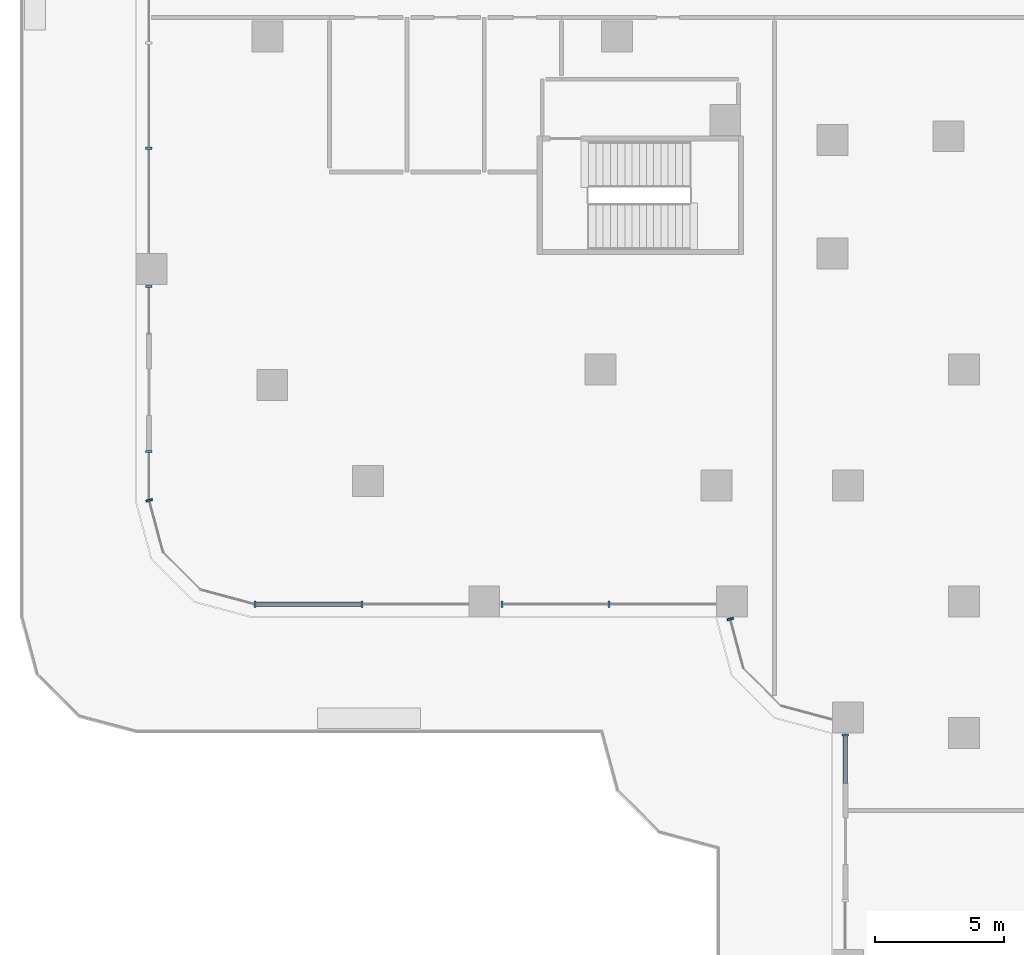
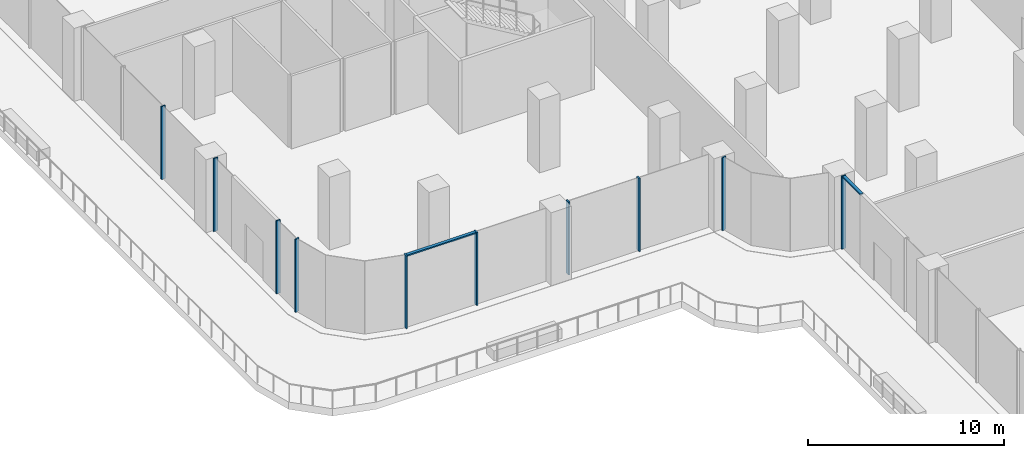
# One storey, part 3 of 30: 12 members, 5 elements without a shape of their own.
"""IFC4 building model written with IfcOpenShell, lengths in metres."""

import ifcopenshell
import ifcopenshell.guid

model = None  # the IFC model being written
_history = None  # IfcOwnerHistory: only IFC2X3 demands one
_inside = {}  # id of a spatial element -> (the spatial element, [elements in it])
_under = {}  # id of a project, library or spatial element -> (it, [spatial elements below it])
_declared = {}  # id of a project -> (the project, [libraries it declares])
_typed = {}  # id of a type object -> (the type object, [elements of that type])
_made_of = {}  # id of a material, layer set ... -> (it, [elements and type objects made of it])


def new_model(schema):
    """Start an empty IFC model of exactly this schema.

    Asked for "IFC4X3", IfcOpenShell would pick the latest addendum, in which some entities
    have other attributes; the version numbers below select the first issue.
    IFC2X3 requires an IfcOwnerHistory on every rooted entity: one is made here for all.
    """
    global model, _history
    if schema == "IFC4X3":
        model = ifcopenshell.file(schema_version=(4, 3, 0, 0))
    else:
        model = ifcopenshell.file(schema=schema)
    _inside.clear()
    _under.clear()
    _declared.clear()
    _typed.clear()
    _made_of.clear()
    _history = None
    if model.schema == "IFC2X3":
        org = make("IfcOrganization", Name="unknown")
        user = make(
            "IfcPersonAndOrganization",
            ThePerson=make("IfcPerson", FamilyName="unknown"),
            TheOrganization=org,
        )
        app = make(
            "IfcApplication",
            ApplicationDeveloper=org,
            Version="unknown",
            ApplicationFullName="unknown",
            ApplicationIdentifier="unknown",
        )
        _history = make(
            "IfcOwnerHistory",
            OwningUser=user,
            OwningApplication=app,
            ChangeAction="ADDED",
            CreationDate=0,
        )
    return model


def make(cls, **values):
    """One entity of the class cls with the attributes given. An attribute that is None is left unset."""
    return model.create_entity(
        cls, **{name: value for name, value in values.items() if value is not None}
    )


def rooted(cls, **values):
    """An entity with a GlobalId (a new one), such as an element, a storey or a relation."""
    return make(cls, GlobalId=ifcopenshell.guid.new(), OwnerHistory=_history, **values)


def si_unit(unit_type, name, prefix=None):
    """IfcSIUnit, for example si_unit("LENGTHUNIT", "METRE", prefix="MILLI")."""
    return make("IfcSIUnit", UnitType=unit_type, Prefix=prefix, Name=name)


def assignment(units):
    """IfcUnitAssignment: the units of a project."""
    return None if units is None else make("IfcUnitAssignment", Units=units)


def point(xyz):
    """IfcCartesianPoint."""
    return None if xyz is None else make("IfcCartesianPoint", Coordinates=xyz)


def direction(xyz):
    """IfcDirection."""
    return None if xyz is None else make("IfcDirection", DirectionRatios=xyz)


def frame(location, z_axis=None, x_axis=None):
    """IfcAxis2Placement3D, a coordinate frame: its origin and axes. An axis left out is left unset."""
    return make(
        "IfcAxis2Placement3D",
        Location=point(location),
        Axis=direction(z_axis),
        RefDirection=direction(x_axis),
    )


def origin():
    """The frame at (0, 0, 0) with its axes left unset."""
    return frame((0.0, 0.0, 0.0))


def place(relative_to, where):
    """IfcLocalPlacement: puts the frame where relative to a parent placement (None: the world)."""
    return make(
        "IfcLocalPlacement", PlacementRelTo=relative_to, RelativePlacement=where
    )


def context(
    kind, dimensions, precision=None, world=None, true_north=None, identifier=None
):
    """IfcGeometricRepresentationContext, for example the 3D "Model" context."""
    return make(
        "IfcGeometricRepresentationContext",
        ContextIdentifier=identifier,
        ContextType=kind,
        CoordinateSpaceDimension=dimensions,
        Precision=precision,
        WorldCoordinateSystem=world,
        TrueNorth=true_north,
    )


def subcontext(parent, identifier, kind, view, scale=None):
    """IfcGeometricRepresentationSubContext, for example "Body" below "Model"."""
    return make(
        "IfcGeometricRepresentationSubContext",
        ContextIdentifier=identifier,
        ContextType=kind,
        ParentContext=parent,
        TargetScale=scale,
        TargetView=view,
    )


def project(units=None, contexts=None):
    """IfcProject with its units and contexts."""
    return rooted(
        "IfcProject",
        Name="project",
        RepresentationContexts=contexts,
        UnitsInContext=assignment(units),
    )


def spatial(cls, under=None, at=None, **own):
    """A site, building, storey or space (cls), placed at a placement, below another one or the project."""
    s = rooted(cls, ObjectPlacement=at, **own)
    if under is not None:
        _under.setdefault(under.id(), (under, []))[1].append(s)
    return s


def polyline(points):
    """IfcPolyline through the points."""
    return make("IfcPolyline", Points=[point(p) for p in points])


def outline(outer, holes=None, kind="AREA"):
    """IfcArbitraryClosedProfileDef: a profile drawn as a closed curve; with holes, ...WithVoids."""
    if holes is None:
        return make("IfcArbitraryClosedProfileDef", ProfileType=kind, OuterCurve=outer)
    return make(
        "IfcArbitraryProfileDefWithVoids",
        ProfileType=kind,
        OuterCurve=outer,
        InnerCurves=holes,
    )


def extrude(swept, where, along, depth):
    """IfcExtrudedAreaSolid: the profile swept, set in the frame where, extruded along a direction by depth."""
    return make(
        "IfcExtrudedAreaSolid",
        SweptArea=swept,
        Position=where,
        ExtrudedDirection=direction(along),
        Depth=depth,
    )


def shape(context_of_items, identifier, shape_type, items):
    """IfcShapeRepresentation: the items that make up one representation, for example the "Body"."""
    return make(
        "IfcShapeRepresentation",
        ContextOfItems=context_of_items,
        RepresentationIdentifier=identifier,
        RepresentationType=shape_type,
        Items=items,
    )


def source(mapping_origin, context_of_items, identifier, shape_type, items):
    """IfcRepresentationMap: a shape defined once, which mapped items show again and again."""
    return make(
        "IfcRepresentationMap",
        MappingOrigin=mapping_origin,
        MappedRepresentation=shape(context_of_items, identifier, shape_type, items),
    )


def transform(
    local_origin,
    x_axis=None,
    y_axis=None,
    z_axis=None,
    scale=None,
    scale2=None,
    scale3=None,
    uniform=True,
):
    """IfcCartesianTransformationOperator3D, or its non-uniform kind. x_axis, y_axis, z_axis: its Axis1, 2, 3."""
    if uniform:
        return make(
            "IfcCartesianTransformationOperator3D",
            Axis1=direction(x_axis),
            Axis2=direction(y_axis),
            LocalOrigin=point(local_origin),
            Scale=scale,
            Axis3=direction(z_axis),
        )
    return make(
        "IfcCartesianTransformationOperator3DnonUniform",
        Axis1=direction(x_axis),
        Axis2=direction(y_axis),
        LocalOrigin=point(local_origin),
        Scale=scale,
        Axis3=direction(z_axis),
        Scale2=scale2,
        Scale3=scale3,
    )


def mapped(mapping_source, mapping_target):
    """IfcMappedItem: shows the shape of a source again, moved by a transform."""
    return make(
        "IfcMappedItem", MappingSource=mapping_source, MappingTarget=mapping_target
    )


def material(Name=None, Category=None):
    """IfcMaterial."""
    return make("IfcMaterial", Name=Name, Category=Category)


def made_of(thing, what):
    """Note that an element or type object is made of a material, layer set ...; save() writes the relation."""
    if what is not None:
        _made_of.setdefault(what.id(), (what, []))[1].append(thing)
    return thing


def type_object(cls, material=None, **own):
    """A type object (cls), such as IfcWallType, which elements share."""
    return made_of(rooted(cls, **own), material)


def element(
    cls,
    number,
    at=None,
    inside=None,
    cuts=None,
    type_object=None,
    material=None,
    context=None,
    identifier="Body",
    shape_type=None,
    held_by="IfcProductDefinitionShape",
    body=None,
    shapes=None,
    **own,
):
    """One element of the class cls, such as IfcWall. Its Tag is "e" and its number.

    at: its placement. inside: the storey or other place that contains it. cuts: it is an
    opening in that element (IfcRelVoidsElement). A single representation is given by context,
    identifier, shape_type and body (its items); several are given by shapes. held_by: the class
    of the entity that holds the representations. save() writes the other relations.
    """
    e = rooted(cls, Tag="e%d" % number, ObjectPlacement=at, **own)
    if body is not None:
        shapes = [shape(context, identifier, shape_type, body)]
    if shapes is not None:
        e.Representation = make(held_by, Representations=shapes)
    if inside is not None:
        _inside.setdefault(inside.id(), (inside, []))[1].append(e)
    if cuts is not None:
        rooted(
            "IfcRelVoidsElement", RelatingBuildingElement=cuts, RelatedOpeningElement=e
        )
    if type_object is not None:
        _typed.setdefault(type_object.id(), (type_object, []))[1].append(e)
    return made_of(e, material)


def aggregate(whole, parts):
    """IfcRelAggregates: a whole, such as a stair, and the parts it consists of."""
    return rooted("IfcRelAggregates", RelatingObject=whole, RelatedObjects=parts)


def save(model, path):
    """Write the relations noted so far, then the file.

    IfcRelAggregates (storeys below a building ...), IfcRelContainedInSpatialStructure (elements
    in a storey), IfcRelDefinesByType, IfcRelAssociatesMaterial and IfcRelDeclares: one each for
    every whole, place, type object, material and project.
    """
    for whole, parts in _under.values():
        aggregate(whole, parts)
    for where, things in _inside.values():
        rooted(
            "IfcRelContainedInSpatialStructure",
            RelatedElements=things,
            RelatingStructure=where,
        )
    for kind, things in _typed.values():
        rooted("IfcRelDefinesByType", RelatedObjects=things, RelatingType=kind)
    for what, things in _made_of.values():
        rooted("IfcRelAssociatesMaterial", RelatedObjects=things, RelatingMaterial=what)
    for by, libraries in _declared.values():
        rooted("IfcRelDeclares", RelatingContext=by, RelatedDefinitions=libraries)
    model.write(path)


model = new_model("IFC4")

# Units and contexts
model_context = context("Model", 3, precision=1e-05, world=origin(), true_north=direction((0.0, 1.0)))
body_context = subcontext(model_context, "Body", "Model", "MODEL_VIEW")
ifc_project = project(units=[si_unit("LENGTHUNIT", "METRE"), si_unit("AREAUNIT", "SQUARE_METRE"), si_unit("VOLUMEUNIT", "CUBIC_METRE"), si_unit("PLANEANGLEUNIT", "RADIAN"), si_unit("MASSUNIT", "GRAM", prefix="KILO")], contexts=[model_context])

# Site, building, storey
site_placement = place(None, origin())
site = spatial("IfcSite", under=ifc_project, at=site_placement, CompositionType="ELEMENT")
building_placement = place(site_placement, origin())
building = spatial("IfcBuilding", under=site, at=building_placement, Name="Zarbagh Exchange Tower", CompositionType="ELEMENT")
storey_placement = place(building_placement, frame((0.0, 0.0, 7.0)))
storey = spatial("IfcBuildingStorey", under=building, at=storey_placement, Name="L01", CompositionType="ELEMENT", Elevation=7.0)

# Curtain wall, members
ifc_material_1 = material(Name="Anodised aluminium frame and glazing", Category="aluminium")
curtain_wall_type = type_object("IfcCurtainWallType", Name="CWC Podium garden-wall glazing", PredefinedType="NOTDEFINED", material=ifc_material_1)
curtain_wall_1_placement = place(storey_placement, origin())
curtain_wall_1 = element("IfcCurtainWall", 1, at=curtain_wall_1_placement, inside=storey, type_object=curtain_wall_type, Name="CWC86 curtain wall", PredefinedType="NOTDEFINED")
ifc_material_2 = material(Name="Anodised aluminium frame", Category="aluminium")
member_type_1 = type_object("IfcMemberType", Name="MUC Mullion, anodised aluminium frame", PredefinedType="MULLION", material=ifc_material_2)
shared_shape_1 = source(origin(), body_context, "Body", "SweptSolid", [
    extrude(outline(polyline([(0.0, -0.125), (0.080078125, -0.125), (0.080078125, 0.125), (0.0, 0.125), (0.0, -0.125)])), origin(), (0.0, 0.0, 1.0), 4.550048828125),
])
placement = place(storey_placement, origin())
member_1 = element("IfcMember", 2, at=placement, type_object=member_type_1, Name="CWC86 mullion 2.3", PredefinedType="MULLION", context=body_context, shape_type="MappedRepresentation", body=[
    mapped(shared_shape_1, transform((-51.25, -6.53662109375, 0.0), x_axis=(0.0, -1.0, 0.0), y_axis=(1.0, 0.0, 0.0), z_axis=(0.0, 0.0, 1.0))),
])
member_2 = element("IfcMember", 3, at=placement, type_object=member_type_1, Name="CWC86 mullion 3.1", PredefinedType="MULLION", context=body_context, shape_type="MappedRepresentation", body=[
    mapped(shared_shape_1, transform((-51.25, -11.89013671875, 0.0), x_axis=(0.0, -1.0, 0.0), y_axis=(1.0, 0.0, 0.0), z_axis=(0.0, 0.0, 1.0))),
])
member_3 = element("IfcMember", 4, at=placement, type_object=member_type_1, Name="CWC86 mullion 4.1", PredefinedType="MULLION", context=body_context, shape_type="MappedRepresentation", body=[
    mapped(shared_shape_1, transform((-51.25, -18.287109375, 0.0), x_axis=(0.0, -1.0, 0.0), y_axis=(1.0, 0.0, 0.0), z_axis=(0.0, 0.0, 1.0))),
])
aggregate(curtain_wall_1, [member_1, member_2, member_3])

# Curtain wall, member
curtain_wall_2_placement = place(storey_placement, origin())
curtain_wall_2 = element("IfcCurtainWall", 5, at=curtain_wall_2_placement, inside=storey, type_object=curtain_wall_type, Name="CWC87 curtain wall", PredefinedType="NOTDEFINED")
member_4 = element("IfcMember", 6, at=placement, type_object=member_type_1, Name="CWC87 mullion 1.1", PredefinedType="MULLION", context=body_context, shape_type="MappedRepresentation", body=[
    mapped(shared_shape_1, transform((-51.25, -20.18408203125, 0.0), x_axis=(0.258824779902, -0.965924289636, 0.0), y_axis=(0.965924289636, 0.258824779902, 0.0), z_axis=(0.0, 0.0, 1.0))),
])
aggregate(curtain_wall_2, [member_4])

# Curtain wall, members
curtain_wall_3_placement = place(storey_placement, origin())
curtain_wall_3 = element("IfcCurtainWall", 7, at=curtain_wall_3_placement, inside=storey, type_object=curtain_wall_type, Name="CWC90 curtain wall", PredefinedType="NOTDEFINED")
member_5 = element("IfcMember", 8, at=placement, type_object=member_type_1, Name="CWC90 mullion 1.1", PredefinedType="MULLION", context=body_context, shape_type="MappedRepresentation", body=[
    mapped(shared_shape_1, transform((-47.18408203125, -24.25, 0.0), x_axis=(1.0, 0.0, 0.0), y_axis=(0.0, 1.0, 0.0), z_axis=(0.0, 0.0, 1.0))),
])
member_6 = element("IfcMember", 9, at=placement, type_object=member_type_1, Name="CWC90 mullion 1.2", PredefinedType="MULLION", context=body_context, shape_type="MappedRepresentation", body=[
    mapped(shared_shape_1, transform((-43.037109375, -24.25, 0.0), x_axis=(1.0, 0.0, 0.0), y_axis=(0.0, 1.0, 0.0), z_axis=(0.0, 0.0, 1.0))),
])
member_7 = element("IfcMember", 10, at=placement, type_object=member_type_1, Name="CWC90 mullion 2.1", PredefinedType="MULLION", context=body_context, shape_type="MappedRepresentation", body=[
    mapped(shared_shape_1, transform((-37.60986328125, -24.25, 0.0), x_axis=(1.0, 0.0, 0.0), y_axis=(0.0, 1.0, 0.0), z_axis=(0.0, 0.0, 1.0))),
])
member_8 = element("IfcMember", 11, at=placement, type_object=member_type_1, Name="CWC90 mullion 2.2", PredefinedType="MULLION", context=body_context, shape_type="MappedRepresentation", body=[
    mapped(shared_shape_1, transform((-33.449951171875, -24.25, 0.0), x_axis=(1.0, 0.0, 0.0), y_axis=(0.0, 1.0, 0.0), z_axis=(0.0, 0.0, 1.0))),
])

# Curtain wall, member
curtain_wall_4_placement = place(storey_placement, origin())
curtain_wall_4 = element("IfcCurtainWall", 12, at=curtain_wall_4_placement, inside=storey, type_object=curtain_wall_type, Name="CWC91 curtain wall", PredefinedType="NOTDEFINED")
member_9 = element("IfcMember", 13, at=placement, type_object=member_type_1, Name="CWC91 mullion 1.1", PredefinedType="MULLION", context=body_context, shape_type="MappedRepresentation", body=[
    mapped(shared_shape_1, transform((-28.7216796875, -24.7900390625, 0.0), x_axis=(0.258824779902, -0.965924289636, 0.0), y_axis=(0.965924289636, 0.258824779902, 0.0), z_axis=(0.0, 0.0, 1.0))),
])
aggregate(curtain_wall_4, [member_9])

curtain_wall_5_placement = place(storey_placement, origin())
curtain_wall_5 = element("IfcCurtainWall", 14, at=curtain_wall_5_placement, inside=storey, type_object=curtain_wall_type, Name="CWC94 curtain wall", PredefinedType="NOTDEFINED")
member_10 = element("IfcMember", 15, at=placement, type_object=member_type_1, Name="CWC94 mullion 1.1", PredefinedType="MULLION", context=body_context, shape_type="MappedRepresentation", body=[
    mapped(shared_shape_1, transform((-24.25, -29.2900390625, 0.0), x_axis=(0.0, -1.0, 0.0), y_axis=(1.0, 0.0, 0.0), z_axis=(0.0, 0.0, 1.0))),
])

# Member
member_type_2 = type_object("IfcMemberType", Name="TRC Transom, anodised aluminium frame", PredefinedType="USERDEFINED", material=ifc_material_2)
shared_shape_2 = source(origin(), body_context, "Body", "SweptSolid", [
    extrude(outline(polyline([(-0.080078125, -0.090087890625), (0.0, -0.090087890625), (0.0, 0.090087890625), (-0.080078125, 0.090087890625), (-0.080078125, -0.090087890625)])), origin(), (0.0, 0.0, 1.0), 4.067138671875),
])
member_11 = element("IfcMember", 16, at=placement, type_object=member_type_2, Name="CWC90 transom 1.1", ObjectType="TRANSOM", PredefinedType="USERDEFINED", context=body_context, shape_type="MappedRepresentation", body=[
    mapped(shared_shape_2, transform((-47.104248046875, -24.25, 4.550048828125), x_axis=(0.0, 0.0, 1.0), y_axis=(0.0, -1.0, 0.0), z_axis=(1.0, 0.0, 0.0))),
])

aggregate(curtain_wall_3, [member_5, member_11, member_6, member_7, member_8])

shared_shape_3 = source(origin(), body_context, "Body", "SweptSolid", [
    extrude(outline(polyline([(-0.080078125, -0.090087890625), (0.0, -0.090087890625), (0.0, 0.090087890625), (-0.080078125, 0.090087890625), (-0.080078125, -0.090087890625)])), origin(), (0.0, 0.0, 1.0), 1.830078125),
])
member_12 = element("IfcMember", 17, at=placement, type_object=member_type_2, Name="CWC94 transom 1.1", ObjectType="TRANSOM", PredefinedType="USERDEFINED", context=body_context, shape_type="MappedRepresentation", body=[
    mapped(shared_shape_3, transform((-24.25, -29.3701171875, 4.550048828125), x_axis=(0.0, 0.0, 1.0), y_axis=(-1.0, 0.0, 0.0), z_axis=(0.0, -1.0, 0.0))),
])

aggregate(curtain_wall_5, [member_10, member_12])

save(model, "model.ifc")
